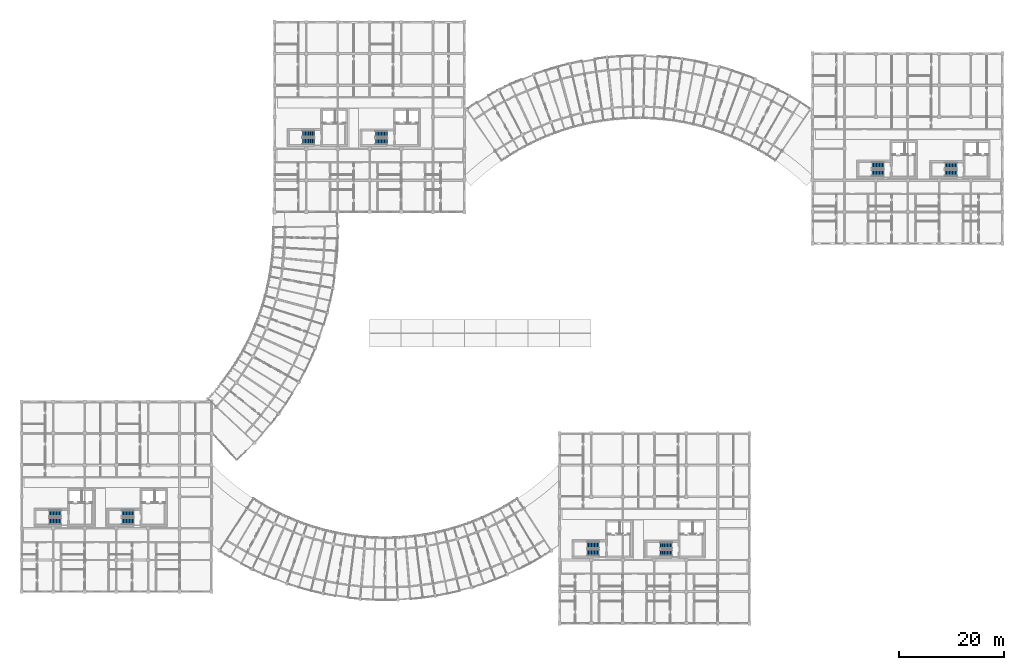
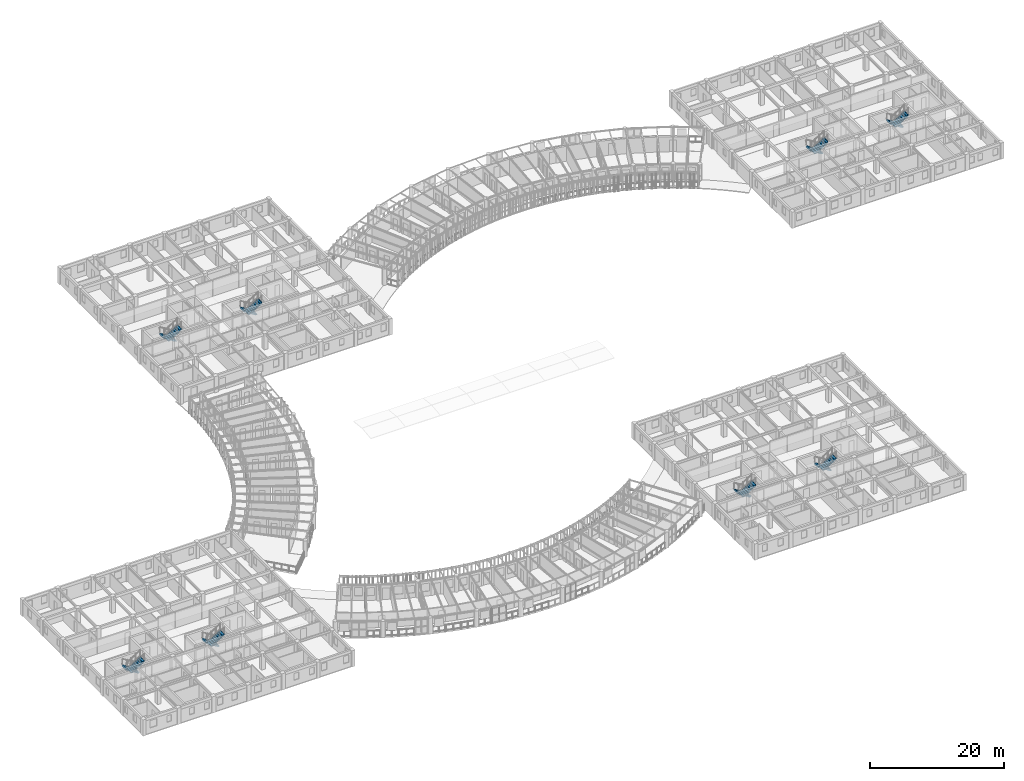
# One storey, part 82 of 100: 16 stair flights, 8 elements without a shape of their own.
"""IFC4 building model written with IfcOpenShell, lengths in metres."""

from ifc_helpers import new_model, si_unit, direction, frame, origin, place, context, subcontext, project, spatial, polyline, outline, extrude, material, type_object, element, aggregate, save


model = new_model("IFC4")

# Units and contexts
model_context = context("Model", 3, precision=1e-05, world=origin(), true_north=direction((0.0, 1.0)))
body_context = subcontext(model_context, "Body", "Model", "MODEL_VIEW")
ifc_project = project(units=[si_unit("LENGTHUNIT", "METRE"), si_unit("AREAUNIT", "SQUARE_METRE"), si_unit("VOLUMEUNIT", "CUBIC_METRE"), si_unit("PLANEANGLEUNIT", "RADIAN"), si_unit("MASSUNIT", "GRAM", prefix="KILO"), si_unit("POWERUNIT", "WATT"), si_unit("THERMODYNAMICTEMPERATUREUNIT", "KELVIN")], contexts=[model_context])

# Site, building, storey
site_placement = place(None, origin())
site = spatial("IfcSite", under=ifc_project, at=site_placement, CompositionType="ELEMENT")
building_placement = place(site_placement, origin())
building = spatial("IfcBuilding", under=site, at=building_placement, Name="Ruvembo Vaulted Housing Court", CompositionType="ELEMENT")
storey_placement = place(building_placement, frame((0.0, 0.0, 10.89990234375)))
storey = spatial("IfcBuildingStorey", under=building, at=storey_placement, Name="L03", CompositionType="ELEMENT", Elevation=10.89990234375)

# Stair, stair flights
ifc_material = material(Name="Concrete C35/45", Category="concrete")
stair_type_1 = type_object("IfcStairType", Name="STR-CORE-1200", PredefinedType="HALF_TURN_STAIR", material=ifc_material)
stair_1_placement = place(storey_placement, origin())
stair_1 = element("IfcStair", 1, at=stair_1_placement, inside=storey, type_object=stair_type_1, Name="L03 Protected Exit Stair ST-B2", PredefinedType="HALF_TURN_STAIR")
stair_flight_type_1 = type_object("IfcStairFlightType", Name="SFL-1200", PredefinedType="STRAIGHT", material=ifc_material)
stair_flight_1_placement = place(storey_placement, frame((69.35009765625, 92.75, 0.0), z_axis=(0.0, 0.0, 1.0), x_axis=(-1.0, 0.0, 0.0)))
stair_flight_1 = element("IfcStairFlight", 2, at=stair_flight_1_placement, type_object=stair_flight_type_1, Name="ST-B2 flight 1", NumberOfRisers=9, NumberOfTreads=8, PredefinedType="STRAIGHT", RiserHeight=0.177777778, TreadLength=0.28, context=body_context, shape_type="SweptSolid", body=[
    extrude(outline(polyline([(-0.02490234375, -0.0400390625), (-0.02490234375, 0.0), (0.0, 0.0), (0.0, 0.177734375), (0.280029296875, 0.177734375), (0.280029296875, 0.35546875), (0.56005859375, 0.35546875), (0.56005859375, 0.533447265625), (0.840087890625, 0.533447265625), (0.840087890625, 0.711181640625), (1.1201171875, 0.711181640625), (1.1201171875, 0.888916015625), (1.39990234375, 0.888916015625), (1.39990234375, 1.066650390625), (1.679931640625, 1.066650390625), (1.679931640625, 1.244384765625), (1.9599609375, 1.244384765625), (1.9599609375, 1.422119140625), (2.239990234375, 1.422119140625), (2.239990234375, 1.60009765625), (2.264892578125, 1.60009765625), (2.264892578125, 1.4501953125), (2.239990234375, 1.24462890625), (0.27978515625, 0.0), (0.0, -0.0400390625), (-0.02490234375, -0.0400390625)])), frame((0.0, 0.60009765625, 0.0), z_axis=(0.0, -1.0, 0.0), x_axis=(1.0, 0.0, 0.0)), (0.0, 0.0, 1.0), 1.199951171875),
])
stair_flight_2_placement = place(storey_placement, frame((67.110107421875, 91.35009765625, 1.60009765625), z_axis=(0.0, 0.0, 1.0), x_axis=(1.0, 0.0, 0.0)))
stair_flight_2 = element("IfcStairFlight", 3, at=stair_flight_2_placement, type_object=stair_flight_type_1, Name="ST-B2 flight 2", NumberOfRisers=9, NumberOfTreads=8, PredefinedType="STRAIGHT", RiserHeight=0.177777778, TreadLength=0.28, context=body_context, shape_type="SweptSolid", body=[
    extrude(outline(polyline([(-0.02490234375, -0.0400390625), (-0.02490234375, 0.0), (0.0, 0.0), (0.0, 0.177734375), (0.280029296875, 0.177734375), (0.280029296875, 0.35546875), (0.56005859375, 0.35546875), (0.56005859375, 0.533447265625), (0.840087890625, 0.533447265625), (0.840087890625, 0.711181640625), (1.1201171875, 0.711181640625), (1.1201171875, 0.888916015625), (1.39990234375, 0.888916015625), (1.39990234375, 1.066650390625), (1.679931640625, 1.066650390625), (1.679931640625, 1.244384765625), (1.9599609375, 1.244384765625), (1.9599609375, 1.422119140625), (2.239990234375, 1.422119140625), (2.239990234375, 1.60009765625), (2.264892578125, 1.60009765625), (2.264892578125, 1.4501953125), (2.239990234375, 1.24462890625), (0.27978515625, 0.0), (0.0, -0.0400390625), (-0.02490234375, -0.0400390625)])), frame((0.0, 0.60009765625, 0.0), z_axis=(0.0, -1.0, 0.0), x_axis=(1.0, 0.0, 0.0)), (0.0, 0.0, 1.0), 1.199951171875),
])
aggregate(stair_1, [stair_flight_1, stair_flight_2])

stair_2_placement = place(storey_placement, origin())
stair_2 = element("IfcStair", 4, at=stair_2_placement, inside=storey, type_object=stair_type_1, Name="L03 Protected Exit Stair ST-C2", PredefinedType="HALF_TURN_STAIR")
stair_flight_3_placement = place(storey_placement, frame((123.35009765625, 14.75, 0.0), z_axis=(0.0, 0.0, 1.0), x_axis=(-1.0, 0.0, 0.0)))
stair_flight_3 = element("IfcStairFlight", 5, at=stair_flight_3_placement, type_object=stair_flight_type_1, Name="ST-C2 flight 1", NumberOfRisers=9, NumberOfTreads=8, PredefinedType="STRAIGHT", RiserHeight=0.177777778, TreadLength=0.28, context=body_context, shape_type="SweptSolid", body=[
    extrude(outline(polyline([(-0.02490234375, -0.0400390625), (-0.02490234375, 0.0), (0.0, 0.0), (0.0, 0.177734375), (0.280029296875, 0.177734375), (0.280029296875, 0.35546875), (0.56005859375, 0.35546875), (0.56005859375, 0.533447265625), (0.840087890625, 0.533447265625), (0.840087890625, 0.711181640625), (1.1201171875, 0.711181640625), (1.1201171875, 0.888916015625), (1.39990234375, 0.888916015625), (1.39990234375, 1.066650390625), (1.679931640625, 1.066650390625), (1.679931640625, 1.244384765625), (1.9599609375, 1.244384765625), (1.9599609375, 1.422119140625), (2.239990234375, 1.422119140625), (2.239990234375, 1.60009765625), (2.264892578125, 1.60009765625), (2.264892578125, 1.4501953125), (2.239990234375, 1.24462890625), (0.27978515625, 0.0), (0.0, -0.0400390625), (-0.02490234375, -0.0400390625)])), frame((0.0, 0.60009765625, 0.0), z_axis=(0.0, -1.0, 0.0), x_axis=(1.0, 0.0, 0.0)), (0.0, 0.0, 1.0), 1.199951171875),
])
stair_flight_4_placement = place(storey_placement, frame((121.110107421875, 13.35009765625, 1.60009765625), z_axis=(0.0, 0.0, 1.0), x_axis=(1.0, 0.0, 0.0)))
stair_flight_4 = element("IfcStairFlight", 6, at=stair_flight_4_placement, type_object=stair_flight_type_1, Name="ST-C2 flight 2", NumberOfRisers=9, NumberOfTreads=8, PredefinedType="STRAIGHT", RiserHeight=0.177777778, TreadLength=0.28, context=body_context, shape_type="SweptSolid", body=[
    extrude(outline(polyline([(-0.02490234375, -0.0400390625), (-0.02490234375, 0.0), (0.0, 0.0), (0.0, 0.177734375), (0.280029296875, 0.177734375), (0.280029296875, 0.35546875), (0.56005859375, 0.35546875), (0.56005859375, 0.533447265625), (0.840087890625, 0.533447265625), (0.840087890625, 0.711181640625), (1.1201171875, 0.711181640625), (1.1201171875, 0.888916015625), (1.39990234375, 0.888916015625), (1.39990234375, 1.066650390625), (1.679931640625, 1.066650390625), (1.679931640625, 1.244384765625), (1.9599609375, 1.244384765625), (1.9599609375, 1.422119140625), (2.239990234375, 1.422119140625), (2.239990234375, 1.60009765625), (2.264892578125, 1.60009765625), (2.264892578125, 1.4501953125), (2.239990234375, 1.24462890625), (0.27978515625, 0.0), (0.0, -0.0400390625), (-0.02490234375, -0.0400390625)])), frame((0.0, 0.60009765625, 0.0), z_axis=(0.0, -1.0, 0.0), x_axis=(1.0, 0.0, 0.0)), (0.0, 0.0, 1.0), 1.199951171875),
])
aggregate(stair_2, [stair_flight_3, stair_flight_4])

stair_3_placement = place(storey_placement, origin())
stair_3 = element("IfcStair", 7, at=stair_3_placement, inside=storey, type_object=stair_type_1, Name="L03 Protected Exit Stair ST-D2", PredefinedType="HALF_TURN_STAIR")
stair_flight_5_placement = place(storey_placement, frame((177.35009765625, 86.75, 0.0), z_axis=(0.0, 0.0, 1.0), x_axis=(-1.0, 0.0, 0.0)))
stair_flight_5 = element("IfcStairFlight", 8, at=stair_flight_5_placement, type_object=stair_flight_type_1, Name="ST-D2 flight 1", NumberOfRisers=9, NumberOfTreads=8, PredefinedType="STRAIGHT", RiserHeight=0.177777778, TreadLength=0.28, context=body_context, shape_type="SweptSolid", body=[
    extrude(outline(polyline([(-0.02490234375, -0.0400390625), (-0.02490234375, 0.0), (0.0, 0.0), (0.0, 0.177734375), (0.280029296875, 0.177734375), (0.280029296875, 0.35546875), (0.56005859375, 0.35546875), (0.56005859375, 0.533447265625), (0.840087890625, 0.533447265625), (0.840087890625, 0.711181640625), (1.1201171875, 0.711181640625), (1.1201171875, 0.888916015625), (1.39990234375, 0.888916015625), (1.39990234375, 1.066650390625), (1.679931640625, 1.066650390625), (1.679931640625, 1.244384765625), (1.9599609375, 1.244384765625), (1.9599609375, 1.422119140625), (2.239990234375, 1.422119140625), (2.239990234375, 1.60009765625), (2.264892578125, 1.60009765625), (2.264892578125, 1.4501953125), (2.239990234375, 1.24462890625), (0.27978515625, 0.0), (0.0, -0.0400390625), (-0.02490234375, -0.0400390625)])), frame((0.0, 0.60009765625, 0.0), z_axis=(0.0, -1.0, 0.0), x_axis=(1.0, 0.0, 0.0)), (0.0, 0.0, 1.0), 1.199951171875),
])
stair_flight_6_placement = place(storey_placement, frame((175.110107421875, 85.35009765625, 1.60009765625), z_axis=(0.0, 0.0, 1.0), x_axis=(1.0, 0.0, 0.0)))
stair_flight_6 = element("IfcStairFlight", 9, at=stair_flight_6_placement, type_object=stair_flight_type_1, Name="ST-D2 flight 2", NumberOfRisers=9, NumberOfTreads=8, PredefinedType="STRAIGHT", RiserHeight=0.177777778, TreadLength=0.28, context=body_context, shape_type="SweptSolid", body=[
    extrude(outline(polyline([(-0.02490234375, -0.0400390625), (-0.02490234375, 0.0), (0.0, 0.0), (0.0, 0.177734375), (0.280029296875, 0.177734375), (0.280029296875, 0.35546875), (0.56005859375, 0.35546875), (0.56005859375, 0.533447265625), (0.840087890625, 0.533447265625), (0.840087890625, 0.711181640625), (1.1201171875, 0.711181640625), (1.1201171875, 0.888916015625), (1.39990234375, 0.888916015625), (1.39990234375, 1.066650390625), (1.679931640625, 1.066650390625), (1.679931640625, 1.244384765625), (1.9599609375, 1.244384765625), (1.9599609375, 1.422119140625), (2.239990234375, 1.422119140625), (2.239990234375, 1.60009765625), (2.264892578125, 1.60009765625), (2.264892578125, 1.4501953125), (2.239990234375, 1.24462890625), (0.27978515625, 0.0), (0.0, -0.0400390625), (-0.02490234375, -0.0400390625)])), frame((0.0, 0.60009765625, 0.0), z_axis=(0.0, -1.0, 0.0), x_axis=(1.0, 0.0, 0.0)), (0.0, 0.0, 1.0), 1.199951171875),
])
aggregate(stair_3, [stair_flight_5, stair_flight_6])

stair_type_2 = type_object("IfcStairType", Name="STR-CORE-1250", PredefinedType="HALF_TURN_STAIR", material=ifc_material)
stair_4_placement = place(storey_placement, origin())
stair_4 = element("IfcStair", 10, at=stair_4_placement, inside=storey, type_object=stair_type_2, Name="L03 Protected Exit Stair ST-A1", PredefinedType="HALF_TURN_STAIR")
stair_flight_type_2 = type_object("IfcStairFlightType", Name="SFL-1250", PredefinedType="STRAIGHT", material=ifc_material)
stair_flight_7_placement = place(storey_placement, frame((7.5, 20.824951171875, 0.0), z_axis=(0.0, 0.0, 1.0), x_axis=(-1.0, 0.0, 0.0)))
stair_flight_7 = element("IfcStairFlight", 11, at=stair_flight_7_placement, type_object=stair_flight_type_2, Name="ST-A1 flight 1", NumberOfRisers=9, NumberOfTreads=8, PredefinedType="STRAIGHT", RiserHeight=0.177777778, TreadLength=0.28, context=body_context, shape_type="SweptSolid", body=[
    extrude(outline(polyline([(-0.02490234375, -0.0400390625), (-0.02490234375, 0.0), (0.0, 0.0), (0.0, 0.177734375), (0.280029296875, 0.177734375), (0.280029296875, 0.35546875), (0.56005859375, 0.35546875), (0.56005859375, 0.533447265625), (0.840087890625, 0.533447265625), (0.840087890625, 0.711181640625), (1.1201171875, 0.711181640625), (1.1201171875, 0.888916015625), (1.39990234375, 0.888916015625), (1.39990234375, 1.066650390625), (1.679931640625, 1.066650390625), (1.679931640625, 1.244384765625), (1.9599609375, 1.244384765625), (1.9599609375, 1.422119140625), (2.239990234375, 1.422119140625), (2.239990234375, 1.60009765625), (2.264892578125, 1.60009765625), (2.264892578125, 1.4501953125), (2.239990234375, 1.24462890625), (0.27978515625, 0.0), (0.0, -0.0400390625), (-0.02490234375, -0.0400390625)])), frame((0.0, 0.625, 0.0), z_axis=(0.0, -1.0, 0.0), x_axis=(1.0, 0.0, 0.0)), (0.0, 0.0, 1.0), 1.25),
])
stair_flight_8_placement = place(storey_placement, frame((5.260009765625, 19.375, 1.60009765625), z_axis=(0.0, 0.0, 1.0), x_axis=(1.0, 0.0, 0.0)))
stair_flight_8 = element("IfcStairFlight", 12, at=stair_flight_8_placement, type_object=stair_flight_type_2, Name="ST-A1 flight 2", NumberOfRisers=9, NumberOfTreads=8, PredefinedType="STRAIGHT", RiserHeight=0.177777778, TreadLength=0.28, context=body_context, shape_type="SweptSolid", body=[
    extrude(outline(polyline([(-0.02490234375, -0.0400390625), (-0.02490234375, 0.0), (0.0, 0.0), (0.0, 0.177734375), (0.280029296875, 0.177734375), (0.280029296875, 0.35546875), (0.56005859375, 0.35546875), (0.56005859375, 0.533447265625), (0.840087890625, 0.533447265625), (0.840087890625, 0.711181640625), (1.1201171875, 0.711181640625), (1.1201171875, 0.888916015625), (1.39990234375, 0.888916015625), (1.39990234375, 1.066650390625), (1.679931640625, 1.066650390625), (1.679931640625, 1.244384765625), (1.9599609375, 1.244384765625), (1.9599609375, 1.422119140625), (2.239990234375, 1.422119140625), (2.239990234375, 1.60009765625), (2.264892578125, 1.60009765625), (2.264892578125, 1.4501953125), (2.239990234375, 1.24462890625), (0.27978515625, 0.0), (0.0, -0.0400390625), (-0.02490234375, -0.0400390625)])), frame((0.0, 0.625, 0.0), z_axis=(0.0, -1.0, 0.0), x_axis=(1.0, 0.0, 0.0)), (0.0, 0.0, 1.0), 1.25),
])
aggregate(stair_4, [stair_flight_7, stair_flight_8])

stair_5_placement = place(storey_placement, origin())
stair_5 = element("IfcStair", 13, at=stair_5_placement, inside=storey, type_object=stair_type_2, Name="L03 Protected Exit Stair ST-A2", PredefinedType="HALF_TURN_STAIR")
stair_flight_9_placement = place(storey_placement, frame((21.300048828125, 20.824951171875, 0.0), z_axis=(0.0, 0.0, 1.0), x_axis=(-1.0, 0.0, 0.0)))
stair_flight_9 = element("IfcStairFlight", 14, at=stair_flight_9_placement, type_object=stair_flight_type_2, Name="ST-A2 flight 1", NumberOfRisers=9, NumberOfTreads=8, PredefinedType="STRAIGHT", RiserHeight=0.177777778, TreadLength=0.28, context=body_context, shape_type="SweptSolid", body=[
    extrude(outline(polyline([(-0.02490234375, -0.0400390625), (-0.02490234375, 0.0), (0.0, 0.0), (0.0, 0.177734375), (0.280029296875, 0.177734375), (0.280029296875, 0.35546875), (0.56005859375, 0.35546875), (0.56005859375, 0.533447265625), (0.840087890625, 0.533447265625), (0.840087890625, 0.711181640625), (1.1201171875, 0.711181640625), (1.1201171875, 0.888916015625), (1.39990234375, 0.888916015625), (1.39990234375, 1.066650390625), (1.679931640625, 1.066650390625), (1.679931640625, 1.244384765625), (1.9599609375, 1.244384765625), (1.9599609375, 1.422119140625), (2.239990234375, 1.422119140625), (2.239990234375, 1.60009765625), (2.264892578125, 1.60009765625), (2.264892578125, 1.4501953125), (2.239990234375, 1.24462890625), (0.27978515625, 0.0), (0.0, -0.0400390625), (-0.02490234375, -0.0400390625)])), frame((0.0, 0.625, 0.0), z_axis=(0.0, -1.0, 0.0), x_axis=(1.0, 0.0, 0.0)), (0.0, 0.0, 1.0), 1.25),
])
stair_flight_10_placement = place(storey_placement, frame((19.06005859375, 19.375, 1.60009765625), z_axis=(0.0, 0.0, 1.0), x_axis=(1.0, 0.0, 0.0)))
stair_flight_10 = element("IfcStairFlight", 15, at=stair_flight_10_placement, type_object=stair_flight_type_2, Name="ST-A2 flight 2", NumberOfRisers=9, NumberOfTreads=8, PredefinedType="STRAIGHT", RiserHeight=0.177777778, TreadLength=0.28, context=body_context, shape_type="SweptSolid", body=[
    extrude(outline(polyline([(-0.02490234375, -0.0400390625), (-0.02490234375, 0.0), (0.0, 0.0), (0.0, 0.177734375), (0.280029296875, 0.177734375), (0.280029296875, 0.35546875), (0.56005859375, 0.35546875), (0.56005859375, 0.533447265625), (0.840087890625, 0.533447265625), (0.840087890625, 0.711181640625), (1.1201171875, 0.711181640625), (1.1201171875, 0.888916015625), (1.39990234375, 0.888916015625), (1.39990234375, 1.066650390625), (1.679931640625, 1.066650390625), (1.679931640625, 1.244384765625), (1.9599609375, 1.244384765625), (1.9599609375, 1.422119140625), (2.239990234375, 1.422119140625), (2.239990234375, 1.60009765625), (2.264892578125, 1.60009765625), (2.264892578125, 1.4501953125), (2.239990234375, 1.24462890625), (0.27978515625, 0.0), (0.0, -0.0400390625), (-0.02490234375, -0.0400390625)])), frame((0.0, 0.625, 0.0), z_axis=(0.0, -1.0, 0.0), x_axis=(1.0, 0.0, 0.0)), (0.0, 0.0, 1.0), 1.25),
])
aggregate(stair_5, [stair_flight_9, stair_flight_10])

stair_6_placement = place(storey_placement, origin())
stair_6 = element("IfcStair", 16, at=stair_6_placement, inside=storey, type_object=stair_type_2, Name="L03 Protected Exit Stair ST-B1", PredefinedType="HALF_TURN_STAIR")
stair_flight_11_placement = place(storey_placement, frame((55.5, 92.824951171875, 0.0), z_axis=(0.0, 0.0, 1.0), x_axis=(-1.0, 0.0, 0.0)))
stair_flight_11 = element("IfcStairFlight", 17, at=stair_flight_11_placement, type_object=stair_flight_type_2, Name="ST-B1 flight 1", NumberOfRisers=9, NumberOfTreads=8, PredefinedType="STRAIGHT", RiserHeight=0.177777778, TreadLength=0.28, context=body_context, shape_type="SweptSolid", body=[
    extrude(outline(polyline([(-0.02490234375, -0.0400390625), (-0.02490234375, 0.0), (0.0, 0.0), (0.0, 0.177734375), (0.280029296875, 0.177734375), (0.280029296875, 0.35546875), (0.56005859375, 0.35546875), (0.56005859375, 0.533447265625), (0.840087890625, 0.533447265625), (0.840087890625, 0.711181640625), (1.1201171875, 0.711181640625), (1.1201171875, 0.888916015625), (1.39990234375, 0.888916015625), (1.39990234375, 1.066650390625), (1.679931640625, 1.066650390625), (1.679931640625, 1.244384765625), (1.9599609375, 1.244384765625), (1.9599609375, 1.422119140625), (2.239990234375, 1.422119140625), (2.239990234375, 1.60009765625), (2.264892578125, 1.60009765625), (2.264892578125, 1.4501953125), (2.239990234375, 1.24462890625), (0.27978515625, 0.0), (0.0, -0.0400390625), (-0.02490234375, -0.0400390625)])), frame((0.0, 0.625, 0.0), z_axis=(0.0, -1.0, 0.0), x_axis=(1.0, 0.0, 0.0)), (0.0, 0.0, 1.0), 1.25),
])
stair_flight_12_placement = place(storey_placement, frame((53.260009765625, 91.375, 1.60009765625), z_axis=(0.0, 0.0, 1.0), x_axis=(1.0, 0.0, 0.0)))
stair_flight_12 = element("IfcStairFlight", 18, at=stair_flight_12_placement, type_object=stair_flight_type_2, Name="ST-B1 flight 2", NumberOfRisers=9, NumberOfTreads=8, PredefinedType="STRAIGHT", RiserHeight=0.177777778, TreadLength=0.28, context=body_context, shape_type="SweptSolid", body=[
    extrude(outline(polyline([(-0.02490234375, -0.0400390625), (-0.02490234375, 0.0), (0.0, 0.0), (0.0, 0.177734375), (0.280029296875, 0.177734375), (0.280029296875, 0.35546875), (0.56005859375, 0.35546875), (0.56005859375, 0.533447265625), (0.840087890625, 0.533447265625), (0.840087890625, 0.711181640625), (1.1201171875, 0.711181640625), (1.1201171875, 0.888916015625), (1.39990234375, 0.888916015625), (1.39990234375, 1.066650390625), (1.679931640625, 1.066650390625), (1.679931640625, 1.244384765625), (1.9599609375, 1.244384765625), (1.9599609375, 1.422119140625), (2.239990234375, 1.422119140625), (2.239990234375, 1.60009765625), (2.264892578125, 1.60009765625), (2.264892578125, 1.4501953125), (2.239990234375, 1.24462890625), (0.27978515625, 0.0), (0.0, -0.0400390625), (-0.02490234375, -0.0400390625)])), frame((0.0, 0.625, 0.0), z_axis=(0.0, -1.0, 0.0), x_axis=(1.0, 0.0, 0.0)), (0.0, 0.0, 1.0), 1.25),
])
aggregate(stair_6, [stair_flight_11, stair_flight_12])

stair_7_placement = place(storey_placement, origin())
stair_7 = element("IfcStair", 19, at=stair_7_placement, inside=storey, type_object=stair_type_2, Name="L03 Protected Exit Stair ST-C1", PredefinedType="HALF_TURN_STAIR")
stair_flight_13_placement = place(storey_placement, frame((109.5, 14.824951171875, 0.0), z_axis=(0.0, 0.0, 1.0), x_axis=(-1.0, 0.0, 0.0)))
stair_flight_13 = element("IfcStairFlight", 20, at=stair_flight_13_placement, type_object=stair_flight_type_2, Name="ST-C1 flight 1", NumberOfRisers=9, NumberOfTreads=8, PredefinedType="STRAIGHT", RiserHeight=0.177777778, TreadLength=0.28, context=body_context, shape_type="SweptSolid", body=[
    extrude(outline(polyline([(-0.02490234375, -0.0400390625), (-0.02490234375, 0.0), (0.0, 0.0), (0.0, 0.177734375), (0.280029296875, 0.177734375), (0.280029296875, 0.35546875), (0.56005859375, 0.35546875), (0.56005859375, 0.533447265625), (0.840087890625, 0.533447265625), (0.840087890625, 0.711181640625), (1.1201171875, 0.711181640625), (1.1201171875, 0.888916015625), (1.39990234375, 0.888916015625), (1.39990234375, 1.066650390625), (1.679931640625, 1.066650390625), (1.679931640625, 1.244384765625), (1.9599609375, 1.244384765625), (1.9599609375, 1.422119140625), (2.239990234375, 1.422119140625), (2.239990234375, 1.60009765625), (2.264892578125, 1.60009765625), (2.264892578125, 1.4501953125), (2.239990234375, 1.24462890625), (0.27978515625, 0.0), (0.0, -0.0400390625), (-0.02490234375, -0.0400390625)])), frame((0.0, 0.625, 0.0), z_axis=(0.0, -1.0, 0.0), x_axis=(1.0, 0.0, 0.0)), (0.0, 0.0, 1.0), 1.25),
])
stair_flight_14_placement = place(storey_placement, frame((107.260009765625, 13.375, 1.60009765625), z_axis=(0.0, 0.0, 1.0), x_axis=(1.0, 0.0, 0.0)))
stair_flight_14 = element("IfcStairFlight", 21, at=stair_flight_14_placement, type_object=stair_flight_type_2, Name="ST-C1 flight 2", NumberOfRisers=9, NumberOfTreads=8, PredefinedType="STRAIGHT", RiserHeight=0.177777778, TreadLength=0.28, context=body_context, shape_type="SweptSolid", body=[
    extrude(outline(polyline([(-0.02490234375, -0.0400390625), (-0.02490234375, 0.0), (0.0, 0.0), (0.0, 0.177734375), (0.280029296875, 0.177734375), (0.280029296875, 0.35546875), (0.56005859375, 0.35546875), (0.56005859375, 0.533447265625), (0.840087890625, 0.533447265625), (0.840087890625, 0.711181640625), (1.1201171875, 0.711181640625), (1.1201171875, 0.888916015625), (1.39990234375, 0.888916015625), (1.39990234375, 1.066650390625), (1.679931640625, 1.066650390625), (1.679931640625, 1.244384765625), (1.9599609375, 1.244384765625), (1.9599609375, 1.422119140625), (2.239990234375, 1.422119140625), (2.239990234375, 1.60009765625), (2.264892578125, 1.60009765625), (2.264892578125, 1.4501953125), (2.239990234375, 1.24462890625), (0.27978515625, 0.0), (0.0, -0.0400390625), (-0.02490234375, -0.0400390625)])), frame((0.0, 0.625, 0.0), z_axis=(0.0, -1.0, 0.0), x_axis=(1.0, 0.0, 0.0)), (0.0, 0.0, 1.0), 1.25),
])
aggregate(stair_7, [stair_flight_13, stair_flight_14])

stair_8_placement = place(storey_placement, origin())
stair_8 = element("IfcStair", 22, at=stair_8_placement, inside=storey, type_object=stair_type_2, Name="L03 Protected Exit Stair ST-D1", PredefinedType="HALF_TURN_STAIR")
stair_flight_15_placement = place(storey_placement, frame((163.5, 86.824951171875, 0.0), z_axis=(0.0, 0.0, 1.0), x_axis=(-1.0, 0.0, 0.0)))
stair_flight_15 = element("IfcStairFlight", 23, at=stair_flight_15_placement, type_object=stair_flight_type_2, Name="ST-D1 flight 1", NumberOfRisers=9, NumberOfTreads=8, PredefinedType="STRAIGHT", RiserHeight=0.177777778, TreadLength=0.28, context=body_context, shape_type="SweptSolid", body=[
    extrude(outline(polyline([(-0.02490234375, -0.0400390625), (-0.02490234375, 0.0), (0.0, 0.0), (0.0, 0.177734375), (0.280029296875, 0.177734375), (0.280029296875, 0.35546875), (0.56005859375, 0.35546875), (0.56005859375, 0.533447265625), (0.840087890625, 0.533447265625), (0.840087890625, 0.711181640625), (1.1201171875, 0.711181640625), (1.1201171875, 0.888916015625), (1.39990234375, 0.888916015625), (1.39990234375, 1.066650390625), (1.679931640625, 1.066650390625), (1.679931640625, 1.244384765625), (1.9599609375, 1.244384765625), (1.9599609375, 1.422119140625), (2.239990234375, 1.422119140625), (2.239990234375, 1.60009765625), (2.264892578125, 1.60009765625), (2.264892578125, 1.4501953125), (2.239990234375, 1.24462890625), (0.27978515625, 0.0), (0.0, -0.0400390625), (-0.02490234375, -0.0400390625)])), frame((0.0, 0.625, 0.0), z_axis=(0.0, -1.0, 0.0), x_axis=(1.0, 0.0, 0.0)), (0.0, 0.0, 1.0), 1.25),
])
stair_flight_16_placement = place(storey_placement, frame((161.260009765625, 85.375, 1.60009765625), z_axis=(0.0, 0.0, 1.0), x_axis=(1.0, 0.0, 0.0)))
stair_flight_16 = element("IfcStairFlight", 24, at=stair_flight_16_placement, type_object=stair_flight_type_2, Name="ST-D1 flight 2", NumberOfRisers=9, NumberOfTreads=8, PredefinedType="STRAIGHT", RiserHeight=0.177777778, TreadLength=0.28, context=body_context, shape_type="SweptSolid", body=[
    extrude(outline(polyline([(-0.02490234375, -0.0400390625), (-0.02490234375, 0.0), (0.0, 0.0), (0.0, 0.177734375), (0.280029296875, 0.177734375), (0.280029296875, 0.35546875), (0.56005859375, 0.35546875), (0.56005859375, 0.533447265625), (0.840087890625, 0.533447265625), (0.840087890625, 0.711181640625), (1.1201171875, 0.711181640625), (1.1201171875, 0.888916015625), (1.39990234375, 0.888916015625), (1.39990234375, 1.066650390625), (1.679931640625, 1.066650390625), (1.679931640625, 1.244384765625), (1.9599609375, 1.244384765625), (1.9599609375, 1.422119140625), (2.239990234375, 1.422119140625), (2.239990234375, 1.60009765625), (2.264892578125, 1.60009765625), (2.264892578125, 1.4501953125), (2.239990234375, 1.24462890625), (0.27978515625, 0.0), (0.0, -0.0400390625), (-0.02490234375, -0.0400390625)])), frame((0.0, 0.625, 0.0), z_axis=(0.0, -1.0, 0.0), x_axis=(1.0, 0.0, 0.0)), (0.0, 0.0, 1.0), 1.25),
])
aggregate(stair_8, [stair_flight_15, stair_flight_16])

save(model, "model.ifc")
